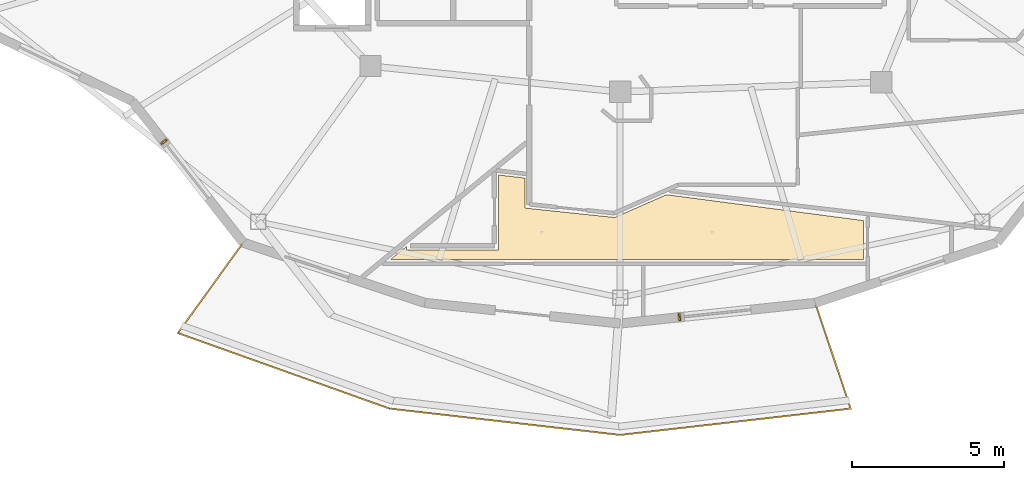
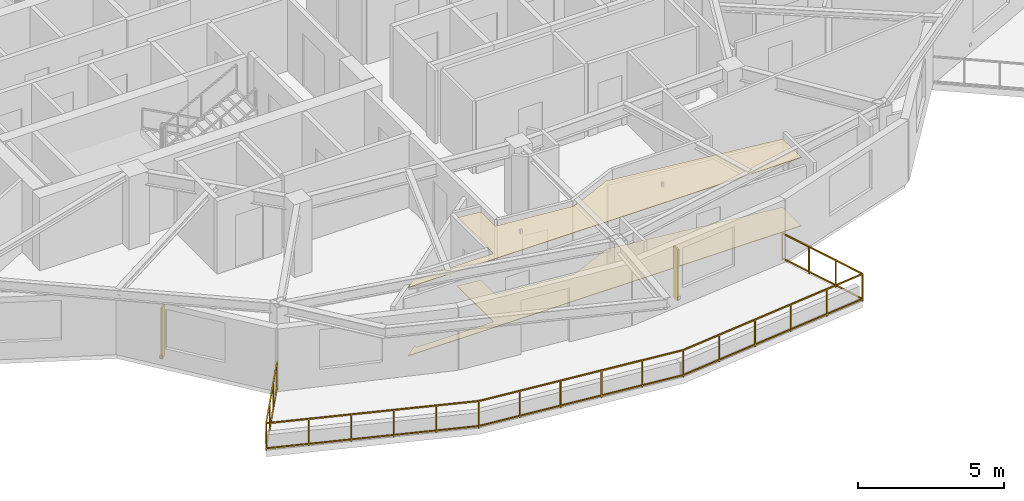
# One storey, part 10 of 14: 2 coverings, 2 shading devices, 1 railing.
"""IFC4 building model written with IfcOpenShell, lengths in metres."""

from ifc_helpers import new_model, si_unit, direction, frame, origin, origin_2d, place, context, subcontext, project, spatial, polyline, rectangle, outline, extrude, material, layer, layer_set, type_object, element, save


model = new_model("IFC4")

# Units and contexts
model_context = context("Model", 3, precision=1e-05, world=origin(), true_north=direction((0.0, 1.0)))
body_context = subcontext(model_context, "Body", "Model", "MODEL_VIEW")
ifc_project = project(units=[si_unit("LENGTHUNIT", "METRE"), si_unit("AREAUNIT", "SQUARE_METRE"), si_unit("VOLUMEUNIT", "CUBIC_METRE"), si_unit("PLANEANGLEUNIT", "RADIAN"), si_unit("MASSUNIT", "GRAM", prefix="KILO")], contexts=[model_context])

# Site, building, storey
site_placement = place(None, origin())
site = spatial("IfcSite", under=ifc_project, at=site_placement, CompositionType="ELEMENT")
building_placement = place(site_placement, origin())
building = spatial("IfcBuilding", under=site, at=building_placement, Name="Kolvaren Gate Tower and Convention Centre", CompositionType="ELEMENT")
storey_placement = place(building_placement, frame((0.0, 0.0, 216.199951171875)))
storey = spatial("IfcBuildingStorey", under=building, at=storey_placement, Name="L57", CompositionType="ELEMENT", Elevation=216.199951171875)

# Coverings
ifc_material_1 = material(Name="Perforated Mineral-Fibre Acoustic Ceiling Tile 18 mm", Category="gypsum")
ifc_layer_1 = layer(ifc_material_1, 0.01806640625)
ifc_layer_set_1 = layer_set([ifc_layer_1], Name="Perforated Mineral-Fibre Acoustic Ceiling Tile 18 mm")
covering_type_1 = type_object("IfcCoveringType", Name="ARCH-COV-CEIL-18", PredefinedType="CEILING", material=ifc_layer_set_1)
covering_1_placement = place(storey_placement, frame((0.0, 0.0, 2.85009765625)))
element("IfcCovering", 1, at=covering_1_placement, inside=storey, type_object=covering_type_1, Name="Family Apartment Living and Dining Room (APT-L57-01) Acoustic Suspended Ceiling", PredefinedType="CEILING", context=body_context, shape_type="SweptSolid", body=[
    extrude(outline(polyline([(22.593994140625, 9.303955078125), (23.110107421875, 9.72607421875), (23.110107421875, 9.610107421875), (26.139892578125, 9.610107421875), (26.139892578125, 12.073974609375), (27.010009765625, 11.970947265625), (27.010009765625, 10.987060546875), (29.947021484375, 10.677978515625), (31.64697265625, 11.426025390625), (38.110107421875, 10.576904296875), (38.110107421875, 9.303955078125), (22.593994140625, 9.303955078125)])), origin(), (0.0, 0.0, 1.0), 0.01806640625),
])
ifc_material_2 = material(Name="FSC Andean Oak Engineered Parquet Flooring 22 mm", Category="wood")
ifc_layer_2 = layer(ifc_material_2, 0.02197265625)
ifc_layer_set_2 = layer_set([ifc_layer_2], Name="FSC Andean Oak Engineered Parquet Flooring 22 mm")
covering_type_2 = type_object("IfcCoveringType", Name="ARCH-COV-WOOD-22", PredefinedType="FLOORING", material=ifc_layer_set_2)
covering_2_placement = place(storey_placement, origin())
element("IfcCovering", 2, at=covering_2_placement, inside=storey, type_object=covering_type_2, Name="Family Apartment Living and Dining Room (APT-L57-01) Interior Finish Flooring", PredefinedType="FLOORING", context=body_context, shape_type="SweptSolid", body=[
    extrude(outline(polyline([(22.593994140625, 9.303955078125), (23.110107421875, 9.72607421875), (23.110107421875, 9.610107421875), (26.139892578125, 9.610107421875), (26.139892578125, 12.073974609375), (27.010009765625, 11.970947265625), (27.010009765625, 10.987060546875), (29.947021484375, 10.677978515625), (31.64697265625, 11.426025390625), (38.110107421875, 10.576904296875), (38.110107421875, 9.303955078125), (22.593994140625, 9.303955078125)])), origin(), (0.0, 0.0, 1.0), 0.02197265625),
])

# Railing
ifc_material_3 = material(Name="Brushed Stainless Steel Grade 316L", Category="steel")
railing_type = type_object("IfcRailingType", Name="ARCH-RL-GUARD-1150", PredefinedType="GUARDRAIL", material=ifc_material_3)
railing_placement = place(storey_placement, frame((17.75, 9.852783203125, 0.0)))
element("IfcRailing", 3, at=railing_placement, inside=storey, type_object=railing_type, Name="Tower L57 Terrace Perimeter Guardrail GR-3", PredefinedType="GUARDRAIL", context=body_context, shape_type="SweptSolid", body=[
    extrude(rectangle(XDim=0.048095703125, YDim=0.048095703125, at=origin_2d()), frame((-0.016357421875, -0.022705078125, 1.1259765625), z_axis=(-0.585212870465, -0.810879705161, 0.0), x_axis=(0.810879705161, -0.585212870465, 0.0)), (0.0, 0.0, 1.0), 3.603759765625),
    extrude(rectangle(XDim=0.048095703125, YDim=0.048095703125, at=origin_2d()), frame((-0.016357421875, -0.022705078125, 0.083984375), z_axis=(-0.585212870465, -0.810879705161, 0.0), x_axis=(0.810879705161, -0.585212870465, 0.0)), (0.0, 0.0, 1.0), 3.603759765625),
    extrude(rectangle(XDim=0.048095703125, YDim=0.048095703125, at=origin_2d()), frame((-2.115478515625, -2.977294921875, 1.1259765625), z_axis=(0.941783827204, -0.336219010197, 0.0), x_axis=(0.336219010197, 0.941783827204, 0.0)), (0.0, 0.0, 1.0), 7.322265625),
    extrude(rectangle(XDim=0.048095703125, YDim=0.048095703125, at=origin_2d()), frame((-2.115478515625, -2.977294921875, 0.083984375), z_axis=(0.941783827204, -0.336219010197, 0.0), x_axis=(0.336219010197, 0.941783827204, 0.0)), (0.0, 0.0, 1.0), 7.322265625),
    extrude(rectangle(XDim=0.048095703125, YDim=0.048095703125, at=origin_2d()), frame((4.834716796875, -5.45166015625, 1.1259765625), z_axis=(0.993542586276, -0.113459813395, 0.0), x_axis=(0.113459813395, 0.993542586276, 0.0)), (0.0, 0.0, 1.0), 7.561279296875),
    extrude(rectangle(XDim=0.048095703125, YDim=0.048095703125, at=origin_2d()), frame((4.834716796875, -5.45166015625, 0.083984375), z_axis=(0.993542586276, -0.113459813395, 0.0), x_axis=(0.113459813395, 0.993542586276, 0.0)), (0.0, 0.0, 1.0), 7.561279296875),
    extrude(rectangle(XDim=0.048095703125, YDim=0.048095703125, at=origin_2d()), frame((12.40283203125, -6.3095703125, 1.1259765625), z_axis=(0.993542586276, 0.113459813395, 0.0), x_axis=(-0.113459813395, 0.993542586276, 0.0)), (0.0, 0.0, 1.0), 7.561279296875),
    extrude(rectangle(XDim=0.048095703125, YDim=0.048095703125, at=origin_2d()), frame((12.40283203125, -6.3095703125, 0.083984375), z_axis=(0.993542586276, 0.113459813395, 0.0), x_axis=(-0.113459813395, 0.993542586276, 0.0)), (0.0, 0.0, 1.0), 7.561279296875),
    extrude(rectangle(XDim=0.048095703125, YDim=0.048095703125, at=origin_2d()), frame((19.934326171875, -5.421875, 1.1259765625), z_axis=(-0.317588247294, 0.948228719867, 0.0), x_axis=(-0.948228719867, -0.317588247294, 0.0)), (0.0, 0.0, 1.0), 3.603759765625),
    extrude(rectangle(XDim=0.048095703125, YDim=0.048095703125, at=origin_2d()), frame((19.934326171875, -5.421875, 0.083984375), z_axis=(-0.317588247294, 0.948228719867, 0.0), x_axis=(-0.948228719867, -0.317588247294, 0.0)), (0.0, 0.0, 1.0), 3.603759765625),
    extrude(rectangle(XDim=0.0419921875, YDim=0.0419921875, at=origin_2d()), origin(), (0.0, 0.0, 1.0), 1.14990234375),
    extrude(rectangle(XDim=0.0419921875, YDim=0.0419921875, at=origin_2d()), frame((-2.141845703125, -2.9677734375, 0.0)), (0.0, 0.0, 1.0), 1.14990234375),
    extrude(rectangle(XDim=0.0419921875, YDim=0.0419921875, at=origin_2d()), frame((-0.7138671875, -0.9892578125, 0.0)), (0.0, 0.0, 1.0), 1.099853515625),
    extrude(rectangle(XDim=0.0419921875, YDim=0.0419921875, at=origin_2d()), frame((-1.427978515625, -1.978515625, 0.0)), (0.0, 0.0, 1.0), 1.099853515625),
    extrude(rectangle(XDim=0.0419921875, YDim=0.0419921875, at=origin_2d()), frame((4.806884765625, -5.448486328125, 0.0)), (0.0, 0.0, 1.0), 1.14990234375),
    extrude(rectangle(XDim=0.0419921875, YDim=0.0419921875, at=origin_2d()), frame((-0.752197265625, -3.4638671875, 0.0)), (0.0, 0.0, 1.0), 1.099853515625),
    extrude(rectangle(XDim=0.0419921875, YDim=0.0419921875, at=origin_2d()), frame((0.6376953125, -3.9599609375, 0.0)), (0.0, 0.0, 1.0), 1.099853515625),
    extrude(rectangle(XDim=0.0419921875, YDim=0.0419921875, at=origin_2d()), frame((2.02734375, -4.456298828125, 0.0)), (0.0, 0.0, 1.0), 1.099853515625),
    extrude(rectangle(XDim=0.0419921875, YDim=0.0419921875, at=origin_2d()), frame((3.417236328125, -4.952392578125, 0.0)), (0.0, 0.0, 1.0), 1.099853515625),
    extrude(rectangle(XDim=0.0419921875, YDim=0.0419921875, at=origin_2d()), frame((12.375, -6.312744140625, 0.0)), (0.0, 0.0, 1.0), 1.14990234375),
    extrude(rectangle(XDim=0.0419921875, YDim=0.0419921875, at=origin_2d()), frame((6.320556640625, -5.621337890625, 0.0)), (0.0, 0.0, 1.0), 1.099853515625),
    extrude(rectangle(XDim=0.0419921875, YDim=0.0419921875, at=origin_2d()), frame((7.834228515625, -5.794189453125, 0.0)), (0.0, 0.0, 1.0), 1.099853515625),
    extrude(rectangle(XDim=0.0419921875, YDim=0.0419921875, at=origin_2d()), frame((9.34765625, -5.967041015625, 0.0)), (0.0, 0.0, 1.0), 1.099853515625),
    extrude(rectangle(XDim=0.0419921875, YDim=0.0419921875, at=origin_2d()), frame((10.861328125, -6.139892578125, 0.0)), (0.0, 0.0, 1.0), 1.099853515625),
    extrude(rectangle(XDim=0.0419921875, YDim=0.0419921875, at=origin_2d()), frame((19.943115234375, -5.448486328125, 0.0)), (0.0, 0.0, 1.0), 1.14990234375),
    extrude(rectangle(XDim=0.0419921875, YDim=0.0419921875, at=origin_2d()), frame((13.888671875, -6.139892578125, 0.0)), (0.0, 0.0, 1.0), 1.099853515625),
    extrude(rectangle(XDim=0.0419921875, YDim=0.0419921875, at=origin_2d()), frame((15.40234375, -5.967041015625, 0.0)), (0.0, 0.0, 1.0), 1.099853515625),
    extrude(rectangle(XDim=0.0419921875, YDim=0.0419921875, at=origin_2d()), frame((16.915771484375, -5.794189453125, 0.0)), (0.0, 0.0, 1.0), 1.099853515625),
    extrude(rectangle(XDim=0.0419921875, YDim=0.0419921875, at=origin_2d()), frame((18.429443359375, -5.621337890625, 0.0)), (0.0, 0.0, 1.0), 1.099853515625),
    extrude(rectangle(XDim=0.0419921875, YDim=0.0419921875, at=origin_2d()), frame((18.78076171875, -1.97802734375, 0.0)), (0.0, 0.0, 1.0), 1.14990234375),
    extrude(rectangle(XDim=0.0419921875, YDim=0.0419921875, at=origin_2d()), frame((19.5556640625, -4.291748046875, 0.0)), (0.0, 0.0, 1.0), 1.099853515625),
    extrude(rectangle(XDim=0.0419921875, YDim=0.0419921875, at=origin_2d()), frame((19.168212890625, -3.134765625, 0.0)), (0.0, 0.0, 1.0), 1.099853515625),
])

# Shading devices
ifc_material_4 = material(Name="Kiln-Fired Bogota Terracotta Ceramic Louvre Profile", Category="masonry")
shading_device_type = type_object("IfcShadingDeviceType", Name="ARCH-SHD-FIN-180", PredefinedType="JALOUSIE", material=ifc_material_4)
for number, where, z_axis, x_axis, name in (
    (4, (15.15673828125, 13.1650390625, 0.22021484375), (0.0, 0.0, 1.0), (0.616434119112, -0.787406487651, 0.0), "Ceramic Vertical Brise-Soleil Fin FN-L57-15"),
    (5, (32.0751953125, 7.405517578125, 0.22021484375), (0.0, 0.0, 1.0), (0.994498884311, 0.104747167526, 0.0), "Ceramic Vertical Brise-Soleil Fin FN-L57-18"),
):
    element("IfcShadingDevice", number, at=place(storey_placement, frame(where, z_axis=z_axis, x_axis=x_axis)), inside=storey, type_object=shading_device_type, Name=name, PredefinedType="JALOUSIE", context=body_context, shape_type="SweptSolid", body=[
        extrude(rectangle(XDim=0.06005859375, YDim=0.239990234375, at=origin_2d()), origin(), (0.0, 0.0, 1.0), 2.14990234375),
    ])

save(model, "model.ifc")
